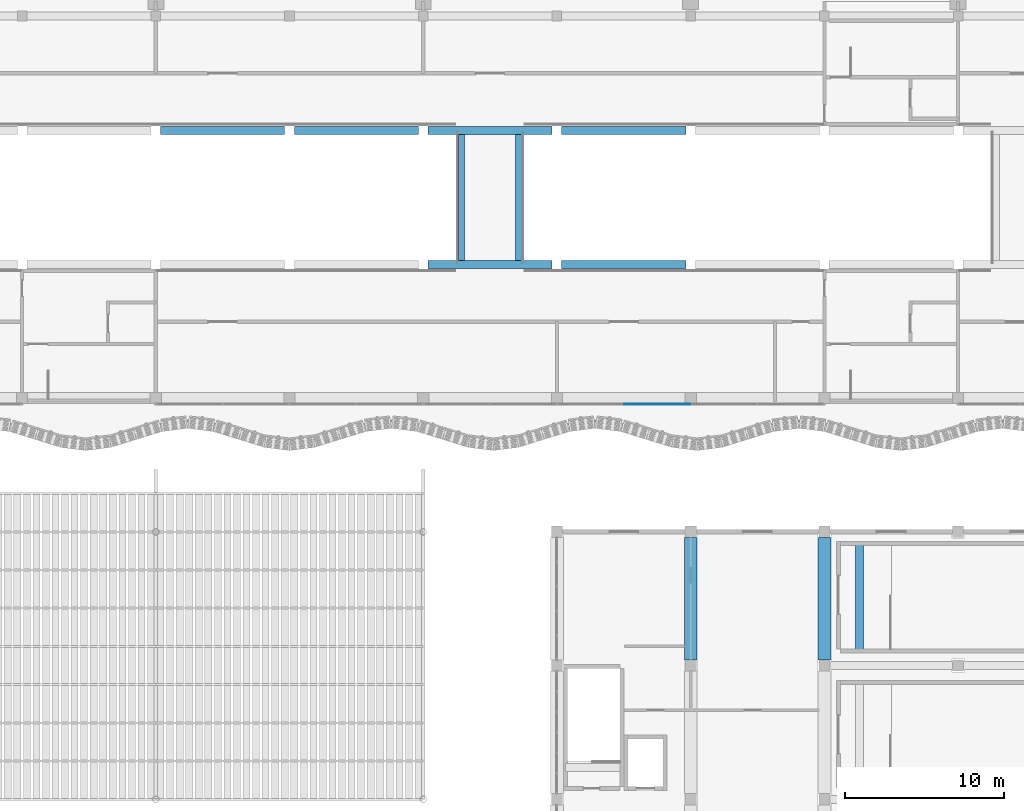
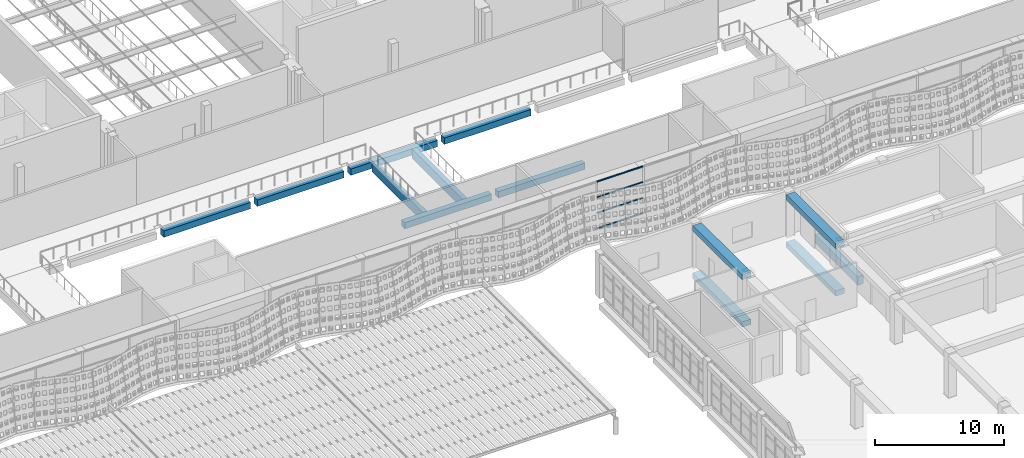
# One storey, part 49 of 162: 13 beams, 4 members, 1 element without a shape of its own.
"""IFC4 building model written with IfcOpenShell, lengths in metres."""

from ifc_helpers import new_model, si_unit, direction, frame, origin, origin_2d, place, context, subcontext, project, spatial, rectangle, extrude, material, layer, layer_set, material_profile, profile_set, type_object, element, aggregate, save


model = new_model("IFC4")

# Units and contexts
model_context = context("Model", 3, precision=1e-05, world=origin(), true_north=direction((0.0, 1.0)))
body_context = subcontext(model_context, "Body", "Model", "MODEL_VIEW")
ifc_project = project(units=[si_unit("LENGTHUNIT", "METRE"), si_unit("AREAUNIT", "SQUARE_METRE"), si_unit("VOLUMEUNIT", "CUBIC_METRE"), si_unit("PLANEANGLEUNIT", "RADIAN"), si_unit("MASSUNIT", "GRAM", prefix="KILO")], contexts=[model_context])

# Site, building, storey
site_placement = place(None, origin())
site = spatial("IfcSite", under=ifc_project, at=site_placement, CompositionType="ELEMENT")
building_placement = place(site_placement, origin())
building = spatial("IfcBuilding", under=site, at=building_placement, Name="Rain Tree Exposition and Congress Centre", CompositionType="ELEMENT")
storey_placement = place(building_placement, frame((0.0, 0.0, 6.0)))
storey = spatial("IfcBuildingStorey", under=building, at=storey_placement, Name="L01", CompositionType="ELEMENT", Elevation=6.0)

# Curtain wall, members
ifc_material_1 = material(Name="Aluminium curtain wall system", Category="aluminium")
ifc_layer = layer(ifc_material_1, 0.10009765625)
ifc_layer_set = layer_set([ifc_layer], Name="Aluminium curtain wall system")
curtain_wall_type = type_object("IfcCurtainWallType", Name="Concourse curtain wall 4200 module", PredefinedType="NOTDEFINED", material=ifc_layer_set)
curtain_wall_placement = place(storey_placement, origin())
curtain_wall = element("IfcCurtainWall", 1, at=curtain_wall_placement, inside=storey, type_object=curtain_wall_type, Name="Concourse curtain wall CWC25", PredefinedType="NOTDEFINED")
ifc_material_2 = material(Name="Aluminium transom", Category="aluminium")
ifc_material_profile_1 = material_profile(ifc_material_2, rectangle(XDim=0.06005859375, YDim=0.1201171875, at=origin_2d()), Name="AL 60x120")
ifc_profile_set_1 = profile_set([ifc_material_profile_1], Name="Aluminium transom")
member_type = type_object("IfcMemberType", Name="Concourse curtain wall transom 60x120", PredefinedType="USERDEFINED", material=ifc_profile_set_1)
member_1_placement = place(storey_placement, frame((155.429931640625, 75.199951171875, 0.030029296875), z_axis=(1.0, 0.0, 0.0), x_axis=(0.0, 1.0, 0.0)))
member_1 = element("IfcMember", 2, at=member_1_placement, type_object=member_type, Name="CWC25 transom 8.1", ObjectType="TRANSOM", PredefinedType="USERDEFINED", context=body_context, shape_type="SweptSolid", body=[
    extrude(rectangle(XDim=0.06005859375, YDim=0.1201171875, at=origin_2d()), origin(), (0.0, 0.0, 1.0), 4.14013671875),
])
member_2_placement = place(storey_placement, frame((155.429931640625, 75.199951171875, 1.5), z_axis=(1.0, 0.0, 0.0), x_axis=(0.0, 1.0, 0.0)))
member_2 = element("IfcMember", 3, at=member_2_placement, type_object=member_type, Name="CWC25 transom 8.2", ObjectType="TRANSOM", PredefinedType="USERDEFINED", context=body_context, shape_type="SweptSolid", body=[
    extrude(rectangle(XDim=0.06005859375, YDim=0.1201171875, at=origin_2d()), origin(), (0.0, 0.0, 1.0), 4.14013671875),
])
member_3_placement = place(storey_placement, frame((155.429931640625, 75.199951171875, 3.0), z_axis=(1.0, 0.0, 0.0), x_axis=(0.0, 1.0, 0.0)))
member_3 = element("IfcMember", 4, at=member_3_placement, type_object=member_type, Name="CWC25 transom 8.3", ObjectType="TRANSOM", PredefinedType="USERDEFINED", context=body_context, shape_type="SweptSolid", body=[
    extrude(rectangle(XDim=0.06005859375, YDim=0.1201171875, at=origin_2d()), origin(), (0.0, 0.0, 1.0), 4.14013671875),
])
member_4_placement = place(storey_placement, frame((155.429931640625, 75.199951171875, 4.469970703125), z_axis=(1.0, 0.0, 0.0), x_axis=(0.0, 1.0, 0.0)))
member_4 = element("IfcMember", 5, at=member_4_placement, type_object=member_type, Name="CWC25 transom 8.4", ObjectType="TRANSOM", PredefinedType="USERDEFINED", context=body_context, shape_type="SweptSolid", body=[
    extrude(rectangle(XDim=0.06005859375, YDim=0.1201171875, at=origin_2d()), origin(), (0.0, 0.0, 1.0), 4.14013671875),
])
aggregate(curtain_wall, [member_1, member_2, member_3, member_4])

# Beams
ifc_material_3 = material(Name="Precast concrete C50/60", Category="concrete")
ifc_material_profile_2 = material_profile(ifc_material_3, rectangle(XDim=0.39990234375, YDim=0.89990234375, at=origin_2d()), Name="RC 400x900")
ifc_profile_set_2 = profile_set([ifc_material_profile_2], Name="Precast concrete C50/60")
beam_type_1 = type_object("IfcBeamType", Name="Precast beam 400x900", PredefinedType="BEAM", material=ifc_profile_set_2)
for number, where, z_axis, x_axis, name in (
    (6, (145.199951171875, 84.25, -0.75), (0.0, 1.0, 0.0), (-1.0, 0.0, 0.0), "Concourse bridge beam 5.1"),
    (7, (148.800048828125, 84.25, -0.75), (0.0, 1.0, 0.0), (-1.0, 0.0, 0.0), "Concourse bridge beam 5.2"),
):
    element("IfcBeam", number, at=place(storey_placement, frame(where, z_axis=z_axis, x_axis=x_axis)), inside=storey, type_object=beam_type_1, Name=name, PredefinedType="BEAM", context=body_context, shape_type="SweptSolid", body=[
        extrude(rectangle(XDim=0.39990234375, YDim=0.89990234375, at=origin_2d()), origin(), (0.0, 0.0, 1.0), 7.89990234375),
    ])
ifc_material_4 = material(Name="Precast concrete C50/60", Category="concrete")
ifc_material_profile_3 = material_profile(ifc_material_4, rectangle(XDim=0.5, YDim=0.60009765625, at=origin_2d()), Name="RC 500x600")
ifc_profile_set_3 = profile_set([ifc_material_profile_3], Name="Precast concrete C50/60")
beam_type_2 = type_object("IfcBeamType", Name="Precast beam 500x600", PredefinedType="BEAM", material=ifc_profile_set_3)
beam_1_placement = place(storey_placement, frame((143.10009765625, 84.0, -0.60009765625), z_axis=(1.0, 0.0, 0.0), x_axis=(0.0, 1.0, 0.0)))
element("IfcBeam", 8, at=beam_1_placement, inside=storey, type_object=beam_type_2, Name="Concourse floor beam 50", PredefinedType="BEAM", context=body_context, shape_type="SweptSolid", body=[
    extrude(rectangle(XDim=0.5, YDim=0.60009765625, at=origin_2d()), origin(), (0.0, 0.0, 1.0), 7.7998046875),
])
for number, where, z_axis, x_axis, name in (
    (9, (151.5, 84.0, -0.60009765625), (1.0, 0.0, 0.0), (0.0, 1.0, 0.0), "Concourse floor beam 51"),
    (10, (126.300048828125, 92.39990234375, -0.60009765625), (1.0, 0.0, 0.0), (0.0, 1.0, 0.0), "Concourse floor beam 80"),
    (11, (134.699951171875, 92.39990234375, -0.60009765625), (1.0, 0.0, 0.0), (0.0, 1.0, 0.0), "Concourse floor beam 81"),
):
    element("IfcBeam", number, at=place(storey_placement, frame(where, z_axis=z_axis, x_axis=x_axis)), inside=storey, type_object=beam_type_2, Name=name, PredefinedType="BEAM", context=body_context, shape_type="SweptSolid", body=[
        extrude(rectangle(XDim=0.5, YDim=0.60009765625, at=origin_2d()), origin(), (0.0, 0.0, 1.0), 7.800048828125),
    ])
beam_2_placement = place(storey_placement, frame((143.10009765625, 92.39990234375, -0.60009765625), z_axis=(1.0, 0.0, 0.0), x_axis=(0.0, 1.0, 0.0)))
element("IfcBeam", 12, at=beam_2_placement, inside=storey, type_object=beam_type_2, Name="Concourse floor beam 82", PredefinedType="BEAM", context=body_context, shape_type="SweptSolid", body=[
    extrude(rectangle(XDim=0.5, YDim=0.60009765625, at=origin_2d()), origin(), (0.0, 0.0, 1.0), 7.7998046875),
])
beam_3_placement = place(storey_placement, frame((151.5, 92.39990234375, -0.60009765625), z_axis=(1.0, 0.0, 0.0), x_axis=(0.0, 1.0, 0.0)))
element("IfcBeam", 13, at=beam_3_placement, inside=storey, type_object=beam_type_2, Name="Concourse floor beam 83", PredefinedType="BEAM", context=body_context, shape_type="SweptSolid", body=[
    extrude(rectangle(XDim=0.5, YDim=0.60009765625, at=origin_2d()), origin(), (0.0, 0.0, 1.0), 7.800048828125),
])
ifc_material_5 = material(Name="Precast concrete C50/60", Category="concrete")
ifc_material_profile_4 = material_profile(ifc_material_5, rectangle(XDim=0.5, YDim=0.800048828125, at=origin_2d()), Name="RC 500x800")
ifc_profile_set_4 = profile_set([ifc_material_profile_4], Name="Precast concrete C50/60")
beam_type_3 = type_object("IfcBeamType", Name="Precast beam 500x800", PredefinedType="BEAM", material=ifc_profile_set_4)
for number, where, z_axis, x_axis, name in (
    (14, (159.60009765625, 59.14990234375, -0.699951171875), (0.0, 1.0, 0.0), (0.0, 0.0, 1.0), "Foyer beam"),
    (15, (168.0, 59.14990234375, -0.699951171875), (0.0, 1.0, 0.0), (0.0, 0.0, 1.0), "Foyer beam"),
    (16, (159.60009765625, 59.14990234375, 3.800048828125), (0.0, 1.0, 0.0), (0.0, 0.0, 1.0), "Foyer beam"),
    (17, (168.0, 59.14990234375, 3.800048828125), (0.0, 1.0, 0.0), (0.0, 0.0, 1.0), "Foyer beam"),
):
    element("IfcBeam", number, at=place(storey_placement, frame(where, z_axis=z_axis, x_axis=x_axis)), inside=storey, type_object=beam_type_3, Name=name, PredefinedType="BEAM", context=body_context, shape_type="SweptSolid", body=[
        extrude(rectangle(XDim=0.5, YDim=0.800048828125, at=origin_2d()), origin(), (0.0, 0.0, 1.0), 7.7001953125),
    ])
beam_4_placement = place(storey_placement, frame((170.199951171875, 59.75, -0.699951171875), z_axis=(0.0, 1.0, 0.0), x_axis=(-1.0, 0.0, 0.0)))
element("IfcBeam", 18, at=beam_4_placement, inside=storey, type_object=beam_type_3, Name="Stair top landing beam", PredefinedType="BEAM", context=body_context, shape_type="SweptSolid", body=[
    extrude(rectangle(XDim=0.5, YDim=0.800048828125, at=origin_2d()), origin(), (0.0, 0.0, 1.0), 6.699951171875),
])

save(model, "model.ifc")
